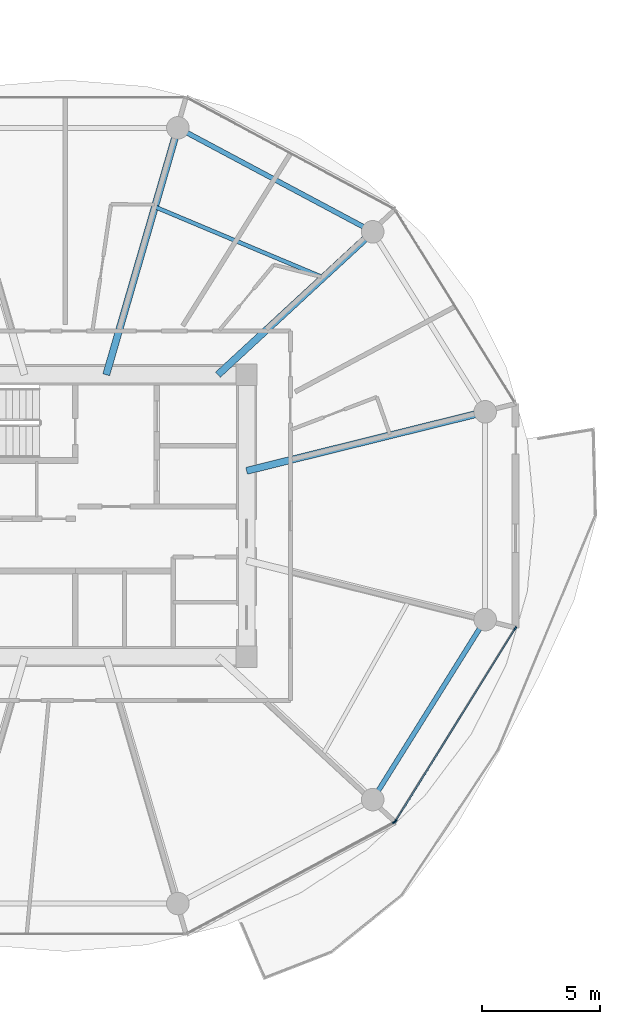
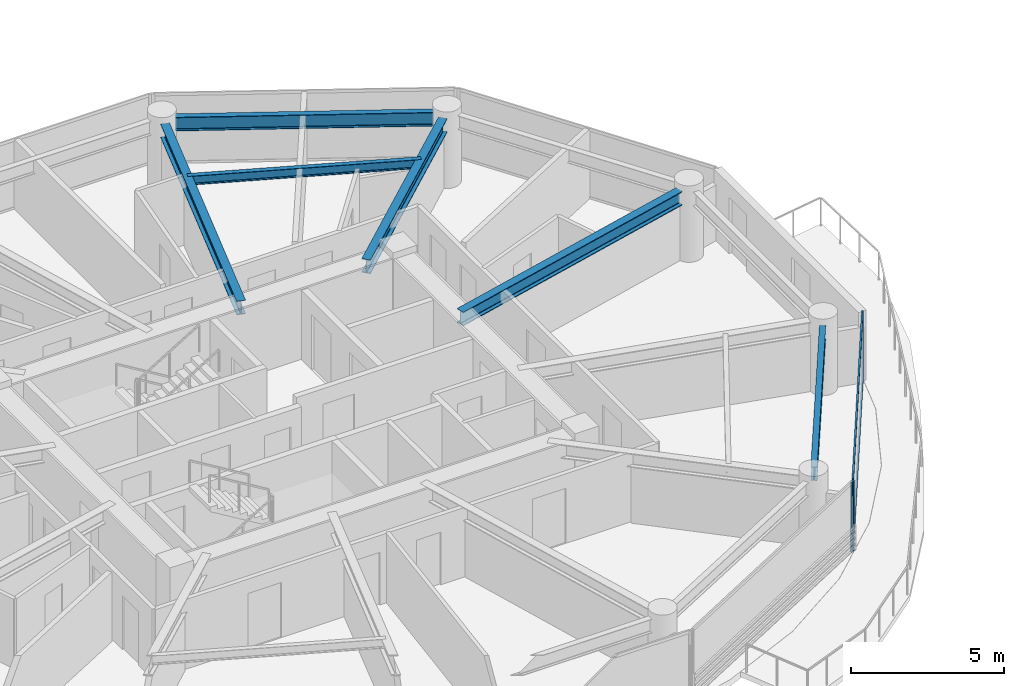
# One storey, part 5 of 27: 6 beams, 5 members, 2 elements without a shape of their own.
"""IFC4 building model written with IfcOpenShell, lengths in metres."""

from ifc_helpers import new_model, si_unit, direction, frame, origin, origin_2d, place, context, subcontext, project, spatial, rectangle, i_section, extrude, source, transform, mapped, material, layer, layer_set, material_profile, profile_set, type_object, type_shapes, element, aggregate, save


model = new_model("IFC4")

# Units and contexts
model_context = context("Model", 3, precision=1e-05, world=origin(), true_north=direction((0.0, 1.0)))
body_context = subcontext(model_context, "Body", "Model", "MODEL_VIEW")
ifc_project = project(units=[si_unit("LENGTHUNIT", "METRE"), si_unit("AREAUNIT", "SQUARE_METRE"), si_unit("VOLUMEUNIT", "CUBIC_METRE"), si_unit("PLANEANGLEUNIT", "RADIAN"), si_unit("MASSUNIT", "GRAM", prefix="KILO")], contexts=[model_context])

# Site, building, storey
site_placement = place(None, origin())
site = spatial("IfcSite", under=ifc_project, at=site_placement, CompositionType="ELEMENT")
building_placement = place(site_placement, origin())
building = spatial("IfcBuilding", under=site, at=building_placement, Name="Norrkilde Senior Care Towers", CompositionType="ELEMENT")
storey_placement = place(building_placement, frame((0.0, 0.0, 58.199951171875)))
storey = spatial("IfcBuildingStorey", under=building, at=storey_placement, Name="L17", CompositionType="ELEMENT", Elevation=58.199951171875)

# Beams
ifc_material_1 = material(Name="Steel S355", Category="steel")
ifc_material_profile_1 = material_profile(ifc_material_1, i_section(OverallWidth=0.2099609375, OverallDepth=0.550048828125, WebThickness=0.010986328125, FlangeThickness=0.01708984375, FilletRadius=0.02392578125, at=origin_2d()), Name="IPE 550")
ifc_profile_set_1 = profile_set([ifc_material_profile_1], Name="Steel S355")
beam_type_1 = type_object("IfcBeamType", Name="Perimeter Ring Spandrel Z1 IPE550", PredefinedType="SPANDREL", material=ifc_profile_set_1)
shared_shape_1 = source(origin(), body_context, "Body", "SweptSolid", [
    extrude(i_section(OverallWidth=0.2099609375, OverallDepth=0.550048828125, WebThickness=0.010986328125, FlangeThickness=0.01708984375, FilletRadius=0.02392578125, at=origin_2d()), origin(), (0.0, 0.0, 1.0), 8.090576171875),
])
beam_1_placement = place(storey_placement, frame((-14.7939453125, -11.61669921875, 2.51513671875), z_axis=(0.530004364821, 0.84799491347, 0.0), x_axis=(-0.84799491347, 0.530004364821, 0.0)))
element("IfcBeam", 1, at=beam_1_placement, inside=storey, type_object=beam_type_1, Name="L17 Drum W Perimeter Spandrel 11", PredefinedType="SPANDREL", context=body_context, shape_type="MappedRepresentation", body=[
    mapped(shared_shape_1, transform((0.0, 0.0, 0.0), x_axis=(1.0, 0.0, 0.0), y_axis=(0.0, 1.0, 0.0), z_axis=(0.0, 0.0, 1.0), scale=1.0)),
])
ifc_material_profile_2 = material_profile(ifc_material_1, i_section(OverallWidth=0.300048828125, OverallDepth=0.550048828125, WebThickness=0.014892578125, FlangeThickness=0.029052734375, FilletRadius=0.027099609375, at=origin_2d()), Name="HEB 550")
ifc_profile_set_2 = profile_set([ifc_material_profile_2], Name="Steel S355")
beam_type_2 = type_object("IfcBeamType", Name="Radial Floor Beam Z1 HEB550", PredefinedType="BEAM", material=ifc_profile_set_2)
shared_shape_2 = source(origin(), body_context, "Body", "SweptSolid", [
    extrude(i_section(OverallWidth=0.300048828125, OverallDepth=0.550048828125, WebThickness=0.014892578125, FlangeThickness=0.029052734375, FilletRadius=0.027099609375, at=origin_2d()), origin(), (0.0, 0.0, 1.0), 9.94384765625),
])
beam_2_placement = place(storey_placement, frame((-20.35009765625, 1.893310546875, 2.51513671875), z_axis=(0.970707425182, 0.240264634718, 0.0), x_axis=(-0.240264634718, 0.970707425182, 0.0)))
element("IfcBeam", 2, at=beam_2_placement, inside=storey, type_object=beam_type_2, Name="L17 Drum W Radial Floor Beam 01", PredefinedType="BEAM", context=body_context, shape_type="MappedRepresentation", body=[
    mapped(shared_shape_2, transform((0.0, 0.0, 0.0), x_axis=(1.0, 0.0, 0.0), y_axis=(0.0, 1.0, 0.0), z_axis=(0.0, 0.0, 1.0), scale=1.0)),
])
shared_shape_3 = source(origin(), body_context, "Body", "SweptSolid", [
    extrude(i_section(OverallWidth=0.2099609375, OverallDepth=0.550048828125, WebThickness=0.010986328125, FlangeThickness=0.01708984375, FilletRadius=0.02392578125, at=origin_2d()), origin(), (0.0, 0.0, 1.0), 8.452880859375),
])
type_shapes(beam_type_1, [shared_shape_1, shared_shape_3])
beam_3_placement = place(storey_placement, frame((-15.408447265625, 12.190185546875, 2.51513671875), z_axis=(-0.882368931134, 0.470558252898, 0.0), x_axis=(-0.470558252898, -0.882368931134, 0.0)))
element("IfcBeam", 3, at=beam_3_placement, inside=storey, type_object=beam_type_1, Name="L17 Drum W Perimeter Spandrel 02", PredefinedType="SPANDREL", context=body_context, shape_type="MappedRepresentation", body=[
    mapped(shared_shape_3, transform((0.0, 0.0, 0.0), x_axis=(1.0, 0.0, 0.0), y_axis=(0.0, 1.0, 0.0), z_axis=(0.0, 0.0, 1.0), scale=1.0)),
])
shared_shape_4 = source(origin(), body_context, "Body", "SweptSolid", [
    extrude(i_section(OverallWidth=0.300048828125, OverallDepth=0.550048828125, WebThickness=0.014892578125, FlangeThickness=0.029052734375, FilletRadius=0.027099609375, at=origin_2d()), origin(), (0.0, 0.0, 1.0), 8.459716796875),
])
beam_4_placement = place(storey_placement, frame((-21.55859375, 5.949951171875, 2.51513671875), z_axis=(0.734573269108, 0.678529374686, 0.0), x_axis=(-0.678529374686, 0.734573269108, 0.0)))
element("IfcBeam", 4, at=beam_4_placement, inside=storey, type_object=beam_type_2, Name="L17 Drum W Radial Floor Beam 02", PredefinedType="BEAM", context=body_context, shape_type="MappedRepresentation", body=[
    mapped(shared_shape_4, transform((0.0, 0.0, 0.0), x_axis=(1.0, 0.0, 0.0), y_axis=(0.0, 1.0, 0.0), z_axis=(0.0, 0.0, 1.0), scale=1.0)),
])
shared_shape_5 = source(origin(), body_context, "Body", "SweptSolid", [
    extrude(i_section(OverallWidth=0.300048828125, OverallDepth=0.550048828125, WebThickness=0.014892578125, FlangeThickness=0.029052734375, FilletRadius=0.027099609375, at=origin_2d()), origin(), (0.0, 0.0, 1.0), 10.4169921875),
])
type_shapes(beam_type_2, [shared_shape_2, shared_shape_4, shared_shape_5])
beam_5_placement = place(storey_placement, frame((-26.27392578125, 5.949951171875, 2.51513671875), z_axis=(0.278591250785, 0.960409764104, 0.0), x_axis=(-0.960409764104, 0.278591250785, 0.0)))
element("IfcBeam", 5, at=beam_5_placement, inside=storey, type_object=beam_type_2, Name="L17 Drum W Radial Floor Beam 03", PredefinedType="BEAM", context=body_context, shape_type="MappedRepresentation", body=[
    mapped(shared_shape_5, transform((0.0, 0.0, 0.0), x_axis=(1.0, 0.0, 0.0), y_axis=(0.0, 1.0, 0.0), z_axis=(0.0, 0.0, 1.0), scale=1.0)),
])
ifc_material_profile_3 = material_profile(ifc_material_1, i_section(OverallWidth=0.169921875, OverallDepth=0.360107421875, WebThickness=0.008056640625, FlangeThickness=0.0126953125, FilletRadius=0.01806640625, at=origin_2d()), Name="IPE 360")
ifc_profile_set_3 = profile_set([ifc_material_profile_3], Name="Steel S355")
beam_type_3 = type_object("IfcBeamType", Name="Secondary Floor Joist IPE360", PredefinedType="JOIST", material=ifc_profile_set_3)
shared_shape_6 = source(origin(), body_context, "Body", "SweptSolid", [
    extrude(i_section(OverallWidth=0.169921875, OverallDepth=0.360107421875, WebThickness=0.008056640625, FlangeThickness=0.0126953125, FilletRadius=0.01806640625, at=origin_2d()), origin(), (0.0, 0.0, 1.0), 7.703857421875),
])
type_shapes(beam_type_3, [shared_shape_6])
beam_6_placement = place(storey_placement, frame((-17.115478515625, 10.05419921875, 2.610107421875), z_axis=(-0.921982784465, 0.387230868023, 0.0), x_axis=(-0.387230868023, -0.921982784465, 0.0)))
element("IfcBeam", 6, at=beam_6_placement, inside=storey, type_object=beam_type_3, Name="L17 Drum W Secondary Floor Joist 1", PredefinedType="JOIST", context=body_context, shape_type="MappedRepresentation", body=[
    mapped(shared_shape_6, transform((0.0, 0.0, 0.0), x_axis=(1.0, 0.0, 0.0), y_axis=(0.0, 1.0, 0.0), z_axis=(0.0, 0.0, 1.0), scale=1.0)),
])

# Curtain wall, member
ifc_material_2 = material(Name="Triple Low-E Insulated Glazing", Category="glass")
ifc_layer = layer(ifc_material_2, 0.199951171875)
ifc_layer_set = layer_set([ifc_layer], Name="Triple Low-E Insulated Glazing")
curtain_wall_type = type_object("IfcCurtainWallType", Name="CW2 Zone 1 Memory Care Curtain Wall", PredefinedType="NOTDEFINED", material=ifc_layer_set)
curtain_wall_1_placement = place(storey_placement, origin())
curtain_wall_1 = element("IfcCurtainWall", 7, at=curtain_wall_1_placement, inside=storey, type_object=curtain_wall_type, Name="L17 Drum W Curtain Wall 09", PredefinedType="NOTDEFINED")
ifc_material_3 = material(Name="Anodised Aluminium", Category="aluminium")
ifc_material_profile_4 = material_profile(ifc_material_3, rectangle(XDim=0.06494140625, YDim=0.159912109375, at=origin_2d()), Name="ALU MULL 65x160")
ifc_profile_set_4 = profile_set([ifc_material_profile_4], Name="Anodised Aluminium")
member_type_1 = type_object("IfcMemberType", Name="Curtain Wall Mullion Z1-Z2 65x160", PredefinedType="MULLION", material=ifc_profile_set_4)
shared_shape_7 = source(origin(), body_context, "Body", "SweptSolid", [
    extrude(rectangle(XDim=0.06494140625, YDim=0.159912109375, at=origin_2d()), origin(), (0.0, 0.0, 1.0), 2.7900390625),
])
type_shapes(member_type_1, [shared_shape_7])
member_1_placement = place(storey_placement, frame((-14.11279296875, -12.941162109375, 0.0), z_axis=(0.0, 0.0, 1.0), x_axis=(0.472607802456, -0.881272866403, 0.0)))
member_1 = element("IfcMember", 8, at=member_1_placement, type_object=member_type_1, Name="CW-2 mullion 1", PredefinedType="MULLION", context=body_context, shape_type="MappedRepresentation", body=[
    mapped(shared_shape_7, transform((0.0, 0.0, 0.0), x_axis=(1.0, 0.0, 0.0), y_axis=(0.0, 1.0, 0.0), z_axis=(0.0, 0.0, 1.0), scale=1.0)),
])
aggregate(curtain_wall_1, [member_1])

# Curtain wall, members
curtain_wall_2_placement = place(storey_placement, origin())
curtain_wall_2 = element("IfcCurtainWall", 9, at=curtain_wall_2_placement, inside=storey, type_object=curtain_wall_type, Name="L17 Drum W Curtain Wall 10", PredefinedType="NOTDEFINED")
member_2_placement = place(storey_placement, frame((-9.0078125, -4.7587890625, 0.0), z_axis=(0.0, 0.0, 1.0), x_axis=(0.849305943117, -0.527900951871, 0.0)))
member_2 = element("IfcMember", 10, at=member_2_placement, type_object=member_type_1, Name="CW-2 mullion 1", PredefinedType="MULLION", context=body_context, shape_type="MappedRepresentation", body=[
    mapped(shared_shape_7, transform((0.0, 0.0, 0.0), x_axis=(1.0, 0.0, 0.0), y_axis=(0.0, 1.0, 0.0), z_axis=(0.0, 0.0, 1.0), scale=1.0)),
])
member_3_placement = place(storey_placement, frame((-14.06689453125, -12.898193359375, 0.0), z_axis=(0.0, 0.0, 1.0), x_axis=(0.849305943117, -0.527900951871, 0.0)))
member_3 = element("IfcMember", 11, at=member_3_placement, type_object=member_type_1, Name="CW-2 mullion 2", PredefinedType="MULLION", context=body_context, shape_type="MappedRepresentation", body=[
    mapped(shared_shape_7, transform((0.0, 0.0, 0.0), x_axis=(1.0, 0.0, 0.0), y_axis=(0.0, 1.0, 0.0), z_axis=(0.0, 0.0, 1.0), scale=1.0)),
])
ifc_material_profile_5 = material_profile(ifc_material_3, rectangle(XDim=0.06005859375, YDim=0.1201171875, at=origin_2d()), Name="ALU TRAN 60x120")
ifc_profile_set_5 = profile_set([ifc_material_profile_5], Name="Anodised Aluminium")
member_type_2 = type_object("IfcMemberType", Name="Curtain Wall Transom Typical 60x120", PredefinedType="USERDEFINED", material=ifc_profile_set_5)
shared_shape_8 = source(origin(), body_context, "Body", "SweptSolid", [
    extrude(rectangle(XDim=0.06005859375, YDim=0.1201171875, at=origin_2d()), origin(), (0.0, 0.0, 1.0), 9.5185546875),
])
type_shapes(member_type_2, [shared_shape_8])
member_4_placement = place(storey_placement, frame((-9.02490234375, -4.786376953125, 0.030029296875), z_axis=(-0.527901620669, -0.849305527413, 0.0), x_axis=(0.849305527413, -0.527901620669, 0.0)))
member_4 = element("IfcMember", 12, at=member_4_placement, type_object=member_type_2, Name="CW-2 transom 1.1", ObjectType="TRANSOM", PredefinedType="USERDEFINED", context=body_context, shape_type="MappedRepresentation", body=[
    mapped(shared_shape_8, transform((0.0, 0.0, 0.0), x_axis=(1.0, 0.0, 0.0), y_axis=(0.0, 1.0, 0.0), z_axis=(0.0, 0.0, 1.0), scale=1.0)),
])
member_5_placement = place(storey_placement, frame((-9.02490234375, -4.786376953125, 2.760009765625), z_axis=(-0.527901620669, -0.849305527413, 0.0), x_axis=(0.849305527413, -0.527901620669, 0.0)))
member_5 = element("IfcMember", 13, at=member_5_placement, type_object=member_type_2, Name="CW-2 transom 1.2", ObjectType="TRANSOM", PredefinedType="USERDEFINED", context=body_context, shape_type="MappedRepresentation", body=[
    mapped(shared_shape_8, transform((0.0, 0.0, 0.0), x_axis=(1.0, 0.0, 0.0), y_axis=(0.0, 1.0, 0.0), z_axis=(0.0, 0.0, 1.0), scale=1.0)),
])
aggregate(curtain_wall_2, [member_2, member_3, member_4, member_5])

save(model, "model.ifc")
